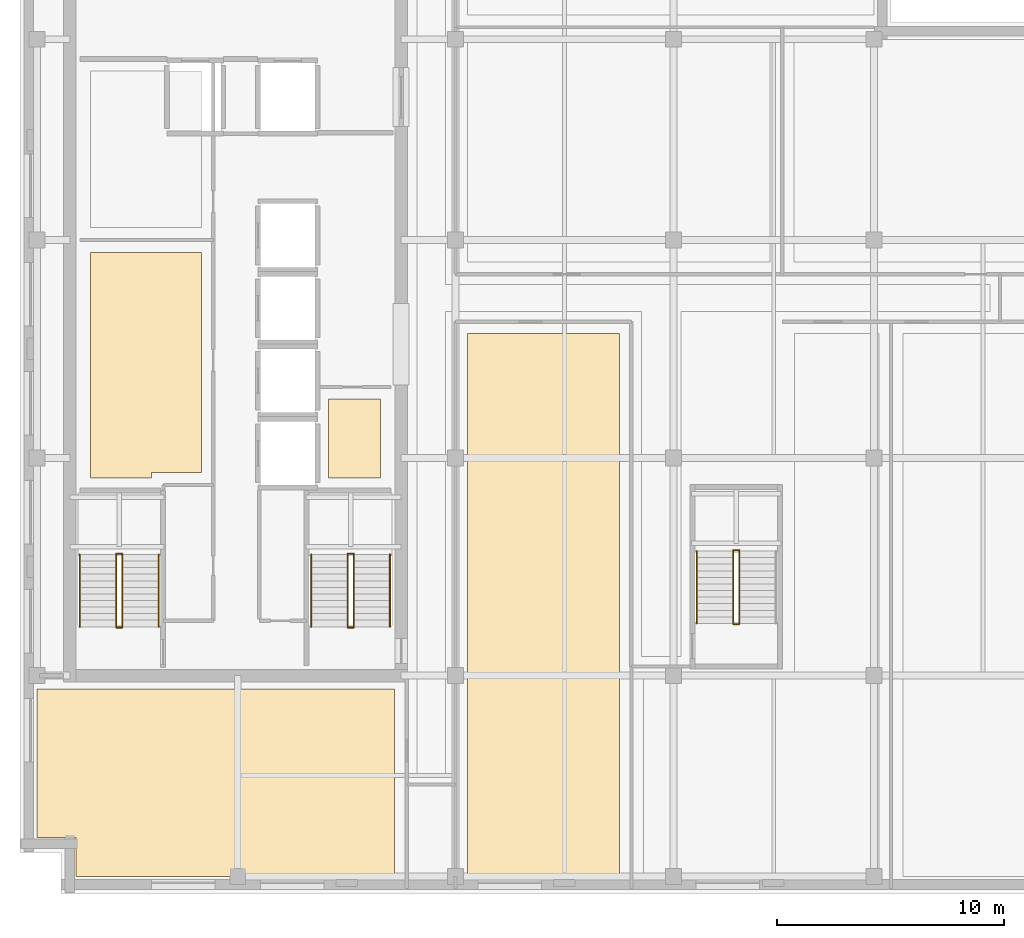
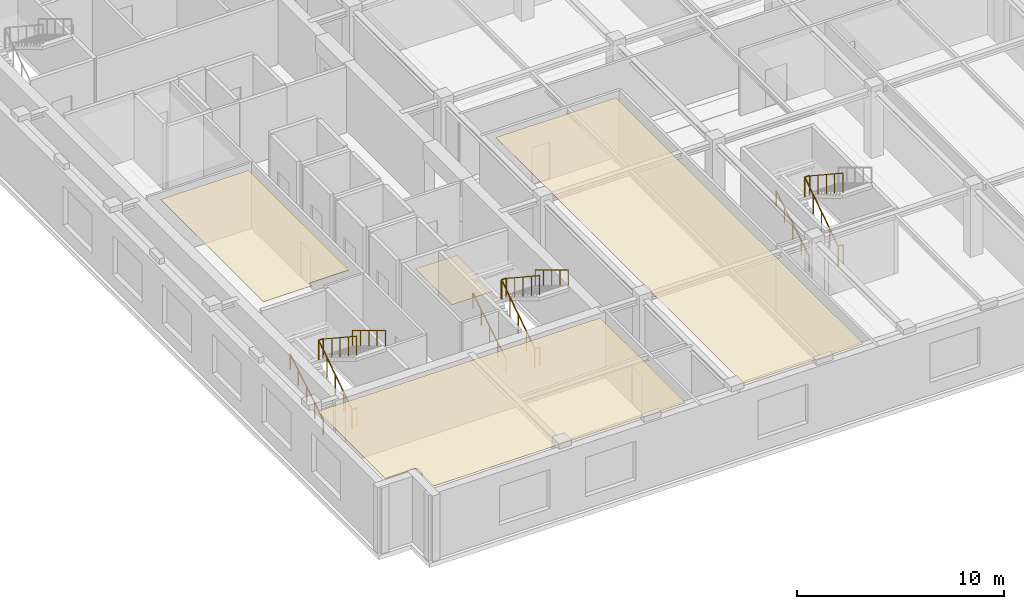
# One storey, part 6 of 10: 17 railings, 4 coverings.
"""IFC4 building model written with IfcOpenShell, lengths in metres."""

from ifc_helpers import new_model, si_unit, direction, frame, origin, origin_2d, place, context, subcontext, project, spatial, polyline, circle, outline, extrude, material, layer, layer_set, type_object, element, save


model = new_model("IFC4")

# Units and contexts
model_context = context("Model", 3, precision=1e-05, world=origin(), true_north=direction((0.0, 1.0)))
body_context = subcontext(model_context, "Body", "Model", "MODEL_VIEW")
ifc_project = project(units=[si_unit("LENGTHUNIT", "METRE"), si_unit("AREAUNIT", "SQUARE_METRE"), si_unit("VOLUMEUNIT", "CUBIC_METRE"), si_unit("PLANEANGLEUNIT", "RADIAN"), si_unit("MASSUNIT", "GRAM", prefix="KILO")], contexts=[model_context])

# Site, building, storey
site_placement = place(None, origin())
site = spatial("IfcSite", under=ifc_project, at=site_placement, CompositionType="ELEMENT")
building_placement = place(site_placement, origin())
building = spatial("IfcBuilding", under=site, at=building_placement, Name="Norrvale University Quadrangle", CompositionType="ELEMENT")
storey_placement = place(building_placement, frame((0.0, 0.0, 303.800048828125)))
storey = spatial("IfcBuildingStorey", under=building, at=storey_placement, Name="L77", CompositionType="ELEMENT", Elevation=303.800048828125)

# Coverings
ifc_material_1 = material(Name="Perforated Acoustic Mineral Ceiling")
ifc_layer_1 = layer(ifc_material_1, 0.02490234375, Name="Perforated Acoustic Mineral Ceiling")
ifc_layer_set_1 = layer_set([ifc_layer_1], Name="Perforated Acoustic Mineral Ceiling")
covering_type_1 = type_object("IfcCoveringType", Name="Covering Acoustic Ceiling 25", PredefinedType="CEILING", material=ifc_layer_set_1)
covering_1_placement = place(storey_placement, frame((0.0, 0.0, 3.85498046875)))
element("IfcCovering", 1, at=covering_1_placement, inside=storey, type_object=covering_type_1, Name="Acoustic Ceiling RM-L77-REC2", PredefinedType="CEILING", context=body_context, shape_type="SweptSolid", body=[
    extrude(outline(polyline([(3.10009765625, 18.300048828125), (3.10009765625, 28.25), (8.0, 28.25), (8.0, 18.550048828125), (5.800048828125, 18.550048828125), (5.800048828125, 18.300048828125), (3.10009765625, 18.300048828125)])), origin(), (0.0, 0.0, 1.0), 0.02490234375),
])
covering_2_placement = place(storey_placement, frame((0.0, 0.0, 3.85498046875)))
element("IfcCovering", 2, at=covering_2_placement, inside=storey, type_object=covering_type_1, Name="Acoustic Ceiling RM-L77-SW1", PredefinedType="CEILING", context=body_context, shape_type="SweptSolid", body=[
    extrude(outline(polyline([(0.75, 9.0), (16.5, 9.0), (16.5, 0.75), (2.469970703125, 0.75), (2.469970703125, 2.469970703125), (0.75, 2.469970703125), (0.75, 9.0)])), origin(), (0.0, 0.0, 1.0), 0.02490234375),
])
covering_3_placement = place(storey_placement, frame((0.0, 0.0, 3.85498046875)))
element("IfcCovering", 3, at=covering_3_placement, inside=storey, type_object=covering_type_1, Name="Acoustic Ceiling RM-L77-SE1", PredefinedType="CEILING", context=body_context, shape_type="SweptSolid", body=[
    extrude(outline(polyline([(19.72998046875, 24.669921875), (26.419921875, 24.669921875), (26.419921875, 0.75), (19.72998046875, 0.75), (19.72998046875, 24.669921875)])), origin(), (0.0, 0.0, 1.0), 0.02490234375),
])
ifc_material_2 = material(Name="Polished Terrazzo Flooring")
ifc_layer_2 = layer(ifc_material_2, 0.02490234375, Name="Polished Terrazzo Flooring")
ifc_layer_set_2 = layer_set([ifc_layer_2], Name="Polished Terrazzo Flooring")
covering_type_2 = type_object("IfcCoveringType", Name="Covering Terrazzo Floor 30", PredefinedType="FLOORING", material=ifc_layer_set_2)
covering_4_placement = place(storey_placement, origin())
element("IfcCovering", 4, at=covering_4_placement, inside=storey, type_object=covering_type_2, Name="Terrazzo Flooring RM-L77-JAN", PredefinedType="FLOORING", context=body_context, shape_type="SweptSolid", body=[
    extrude(outline(polyline([(13.60009765625, 18.300048828125), (13.60009765625, 21.800048828125), (15.89990234375, 21.800048828125), (15.89990234375, 18.300048828125), (13.60009765625, 18.300048828125)])), origin(), (0.0, 0.0, 1.0), 0.02490234375),
])

# Railings
ifc_material_3 = material(Name="Steel 350W Painted Balustrade", Category="steel")
railing_type_1 = type_object("IfcRailingType", Name="Railing Stair Guard 1100", PredefinedType="GUARDRAIL", material=ifc_material_3)
for number, where, name in (
    (5, (4.239990234375, 11.719970703125, 0.0), "Stair Floor Well Guard ST-01 L77"),
    (6, (4.239990234375, 14.969970703125, 2.099853515625), "Stair Mid-Landing Slot Guard ST-01 L77"),
):
    element("IfcRailing", number, at=place(storey_placement, frame(where)), inside=storey, type_object=railing_type_1, Name=name, PredefinedType="GUARDRAIL", context=body_context, shape_type="SweptSolid", body=[
        extrude(circle(Radius=0.02392578125, at=origin_2d()), frame((0.0, 0.0, 1.1259765625), z_axis=(1.0, 0.0, 0.0), x_axis=(0.0, 1.0, 0.0)), (0.0, 0.0, 1.0), 0.27001953125),
        extrude(circle(Radius=0.02099609375, at=origin_2d()), origin(), (0.0, 0.0, 1.0), 1.101806640625),
        extrude(circle(Radius=0.02099609375, at=origin_2d()), frame((0.27001953125, 0.0, 0.0)), (0.0, 0.0, 1.0), 1.101806640625),
    ])
railing_1_placement = place(storey_placement, frame((4.239990234375, 11.75, 0.0)))
element("IfcRailing", 7, at=railing_1_placement, inside=storey, type_object=railing_type_1, Name="Stair Lower Flight Inner Guard ST-01 L77", PredefinedType="GUARDRAIL", context=body_context, shape_type="SweptSolid", body=[
    extrude(circle(Radius=0.02392578125, at=origin_2d()), frame((0.0, 0.0, 1.1259765625), z_axis=(0.0, 0.835271834381, 0.549837214719), x_axis=(-1.0, 0.0, 0.0)), (0.0, 0.0, 1.0), 3.819091796875),
    extrude(circle(Radius=0.02099609375, at=origin_2d()), origin(), (0.0, 0.0, 1.0), 1.101806640625),
    extrude(circle(Radius=0.02099609375, at=origin_2d()), frame((0.0, 0.79736328125, 0.52490234375)), (0.0, 0.0, 1.0), 1.101806640625),
    extrude(circle(Radius=0.02099609375, at=origin_2d()), frame((0.0, 1.594970703125, 1.0498046875)), (0.0, 0.0, 1.0), 1.101806640625),
    extrude(circle(Radius=0.02099609375, at=origin_2d()), frame((0.0, 2.392578125, 1.574951171875)), (0.0, 0.0, 1.0), 1.101806640625),
    extrude(circle(Radius=0.02099609375, at=origin_2d()), frame((0.0, 3.18994140625, 2.099853515625)), (0.0, 0.0, 1.0), 1.101806640625),
])
railing_2_placement = place(storey_placement, frame((4.510009765625, 14.93994140625, 2.099853515625)))
element("IfcRailing", 8, at=railing_2_placement, inside=storey, type_object=railing_type_1, Name="Stair Upper Flight Inner Guard ST-01 L77", PredefinedType="GUARDRAIL", context=body_context, shape_type="SweptSolid", body=[
    extrude(circle(Radius=0.02392578125, at=origin_2d()), frame((0.0, 0.0, 1.1259765625), z_axis=(0.0, -0.835242474824, 0.549881812983), x_axis=(1.0, 0.0, 0.0)), (0.0, 0.0, 1.0), 3.819091796875),
    extrude(circle(Radius=0.02099609375, at=origin_2d()), origin(), (0.0, 0.0, 1.0), 1.101806640625),
    extrude(circle(Radius=0.02099609375, at=origin_2d()), frame((0.0, -0.79736328125, 0.52490234375)), (0.0, 0.0, 1.0), 1.101806640625),
    extrude(circle(Radius=0.02099609375, at=origin_2d()), frame((0.0, -1.594970703125, 1.050048828125)), (0.0, 0.0, 1.0), 1.101806640625),
    extrude(circle(Radius=0.02099609375, at=origin_2d()), frame((0.0, -2.392578125, 1.5751953125)), (0.0, 0.0, 1.0), 1.101806640625),
    extrude(circle(Radius=0.02099609375, at=origin_2d()), frame((0.0, -3.18994140625, 2.10009765625)), (0.0, 0.0, 1.0), 1.101806640625),
])
for number, where, name in (
    (9, (14.43994140625, 11.719970703125, 0.0), "Stair Floor Well Guard ST-03 L77"),
    (10, (14.43994140625, 14.969970703125, 2.099853515625), "Stair Mid-Landing Slot Guard ST-03 L77"),
):
    element("IfcRailing", number, at=place(storey_placement, frame(where)), inside=storey, type_object=railing_type_1, Name=name, PredefinedType="GUARDRAIL", context=body_context, shape_type="SweptSolid", body=[
        extrude(circle(Radius=0.02392578125, at=origin_2d()), frame((0.0, 0.0, 1.1259765625), z_axis=(1.0, 0.0, 0.0), x_axis=(0.0, 1.0, 0.0)), (0.0, 0.0, 1.0), 0.27001953125),
        extrude(circle(Radius=0.02099609375, at=origin_2d()), origin(), (0.0, 0.0, 1.0), 1.101806640625),
        extrude(circle(Radius=0.02099609375, at=origin_2d()), frame((0.27001953125, 0.0, 0.0)), (0.0, 0.0, 1.0), 1.101806640625),
    ])
railing_3_placement = place(storey_placement, frame((14.43994140625, 11.75, 0.0)))
element("IfcRailing", 11, at=railing_3_placement, inside=storey, type_object=railing_type_1, Name="Stair Lower Flight Inner Guard ST-03 L77", PredefinedType="GUARDRAIL", context=body_context, shape_type="SweptSolid", body=[
    extrude(circle(Radius=0.02392578125, at=origin_2d()), frame((0.0, 0.0, 1.1259765625), z_axis=(0.0, 0.835271834381, 0.549837214719), x_axis=(-1.0, 0.0, 0.0)), (0.0, 0.0, 1.0), 3.819091796875),
    extrude(circle(Radius=0.02099609375, at=origin_2d()), origin(), (0.0, 0.0, 1.0), 1.101806640625),
    extrude(circle(Radius=0.02099609375, at=origin_2d()), frame((0.0, 0.79736328125, 0.52490234375)), (0.0, 0.0, 1.0), 1.101806640625),
    extrude(circle(Radius=0.02099609375, at=origin_2d()), frame((0.0, 1.594970703125, 1.0498046875)), (0.0, 0.0, 1.0), 1.101806640625),
    extrude(circle(Radius=0.02099609375, at=origin_2d()), frame((0.0, 2.392578125, 1.574951171875)), (0.0, 0.0, 1.0), 1.101806640625),
    extrude(circle(Radius=0.02099609375, at=origin_2d()), frame((0.0, 3.18994140625, 2.099853515625)), (0.0, 0.0, 1.0), 1.101806640625),
])
railing_4_placement = place(storey_placement, frame((14.7099609375, 14.93994140625, 2.099853515625)))
element("IfcRailing", 12, at=railing_4_placement, inside=storey, type_object=railing_type_1, Name="Stair Upper Flight Inner Guard ST-03 L77", PredefinedType="GUARDRAIL", context=body_context, shape_type="SweptSolid", body=[
    extrude(circle(Radius=0.02392578125, at=origin_2d()), frame((0.0, 0.0, 1.1259765625), z_axis=(0.0, -0.835242474824, 0.549881812983), x_axis=(1.0, 0.0, 0.0)), (0.0, 0.0, 1.0), 3.819091796875),
    extrude(circle(Radius=0.02099609375, at=origin_2d()), origin(), (0.0, 0.0, 1.0), 1.101806640625),
    extrude(circle(Radius=0.02099609375, at=origin_2d()), frame((0.0, -0.79736328125, 0.52490234375)), (0.0, 0.0, 1.0), 1.101806640625),
    extrude(circle(Radius=0.02099609375, at=origin_2d()), frame((0.0, -1.594970703125, 1.050048828125)), (0.0, 0.0, 1.0), 1.101806640625),
    extrude(circle(Radius=0.02099609375, at=origin_2d()), frame((0.0, -2.392578125, 1.5751953125)), (0.0, 0.0, 1.0), 1.101806640625),
    extrude(circle(Radius=0.02099609375, at=origin_2d()), frame((0.0, -3.18994140625, 2.10009765625)), (0.0, 0.0, 1.0), 1.101806640625),
])
for number, where, name in (
    (13, (31.43994140625, 11.8701171875, 0.0), "Stair Floor Well Guard ST-04 L77"),
    (14, (31.43994140625, 15.1201171875, 2.099853515625), "Stair Mid-Landing Slot Guard ST-04 L77"),
):
    element("IfcRailing", number, at=place(storey_placement, frame(where)), inside=storey, type_object=railing_type_1, Name=name, PredefinedType="GUARDRAIL", context=body_context, shape_type="SweptSolid", body=[
        extrude(circle(Radius=0.02392578125, at=origin_2d()), frame((0.0, 0.0, 1.1259765625), z_axis=(1.0, 0.0, 0.0), x_axis=(0.0, 1.0, 0.0)), (0.0, 0.0, 1.0), 0.27001953125),
        extrude(circle(Radius=0.02099609375, at=origin_2d()), origin(), (0.0, 0.0, 1.0), 1.101806640625),
        extrude(circle(Radius=0.02099609375, at=origin_2d()), frame((0.27001953125, 0.0, 0.0)), (0.0, 0.0, 1.0), 1.101806640625),
    ])
railing_5_placement = place(storey_placement, frame((31.43994140625, 11.89990234375, 0.0)))
element("IfcRailing", 15, at=railing_5_placement, inside=storey, type_object=railing_type_1, Name="Stair Lower Flight Inner Guard ST-04 L77", PredefinedType="GUARDRAIL", context=body_context, shape_type="SweptSolid", body=[
    extrude(circle(Radius=0.02392578125, at=origin_2d()), frame((0.0, 0.0, 1.1259765625), z_axis=(0.0, 0.835291159344, 0.549807856548), x_axis=(-1.0, 0.0, 0.0)), (0.0, 0.0, 1.0), 3.8193359375),
    extrude(circle(Radius=0.02099609375, at=origin_2d()), origin(), (0.0, 0.0, 1.0), 1.101806640625),
    extrude(circle(Radius=0.02099609375, at=origin_2d()), frame((0.0, 0.797607421875, 0.52490234375)), (0.0, 0.0, 1.0), 1.101806640625),
    extrude(circle(Radius=0.02099609375, at=origin_2d()), frame((0.0, 1.59521484375, 1.0498046875)), (0.0, 0.0, 1.0), 1.101806640625),
    extrude(circle(Radius=0.02099609375, at=origin_2d()), frame((0.0, 2.392578125, 1.574951171875)), (0.0, 0.0, 1.0), 1.101806640625),
    extrude(circle(Radius=0.02099609375, at=origin_2d()), frame((0.0, 3.190185546875, 2.099853515625)), (0.0, 0.0, 1.0), 1.101806640625),
])
railing_6_placement = place(storey_placement, frame((31.7099609375, 15.090087890625, 2.099853515625)))
element("IfcRailing", 16, at=railing_6_placement, inside=storey, type_object=railing_type_1, Name="Stair Upper Flight Inner Guard ST-04 L77", PredefinedType="GUARDRAIL", context=body_context, shape_type="SweptSolid", body=[
    extrude(circle(Radius=0.02392578125, at=origin_2d()), frame((0.0, 0.0, 1.1259765625), z_axis=(0.0, -0.835261802243, 0.549852454495), x_axis=(1.0, 0.0, 0.0)), (0.0, 0.0, 1.0), 3.8193359375),
    extrude(circle(Radius=0.02099609375, at=origin_2d()), origin(), (0.0, 0.0, 1.0), 1.101806640625),
    extrude(circle(Radius=0.02099609375, at=origin_2d()), frame((0.0, -0.797607421875, 0.52490234375)), (0.0, 0.0, 1.0), 1.101806640625),
    extrude(circle(Radius=0.02099609375, at=origin_2d()), frame((0.0, -1.59521484375, 1.050048828125)), (0.0, 0.0, 1.0), 1.101806640625),
    extrude(circle(Radius=0.02099609375, at=origin_2d()), frame((0.0, -2.392578125, 1.5751953125)), (0.0, 0.0, 1.0), 1.101806640625),
    extrude(circle(Radius=0.02099609375, at=origin_2d()), frame((0.0, -3.190185546875, 2.10009765625)), (0.0, 0.0, 1.0), 1.101806640625),
])
ifc_material_4 = material(Name="Stainless Steel 316L Handrail", Category="steel")
railing_type_2 = type_object("IfcRailingType", Name="Railing Stair Handrail 920", PredefinedType="HANDRAIL", material=ifc_material_4)
railing_7_placement = place(storey_placement, frame((2.639892578125, 11.75, 0.175048828125)))
element("IfcRailing", 17, at=railing_7_placement, inside=storey, type_object=railing_type_2, Name="Stair Lower Flight Handrail ST-01 L77", PredefinedType="HANDRAIL", context=body_context, shape_type="SweptSolid", body=[
    extrude(circle(Radius=0.02392578125, at=origin_2d()), frame((0.0, 0.0, 0.89599609375), z_axis=(0.0, 0.856206652436, 0.516633495163), x_axis=(-1.0, 0.0, 0.0)), (0.0, 0.0, 1.0), 3.7255859375),
    extrude(circle(Radius=0.02099609375, at=origin_2d()), origin(), (0.0, 0.0, 1.0), 0.871826171875),
    extrude(circle(Radius=0.02099609375, at=origin_2d()), frame((0.0, 0.79736328125, 0.481201171875)), (0.0, 0.0, 1.0), 0.871826171875),
    extrude(circle(Radius=0.02099609375, at=origin_2d()), frame((0.0, 1.594970703125, 0.96240234375)), (0.0, 0.0, 1.0), 0.871826171875),
    extrude(circle(Radius=0.02099609375, at=origin_2d()), frame((0.0, 2.392578125, 1.443603515625)), (0.0, 0.0, 1.0), 0.871826171875),
    extrude(circle(Radius=0.02099609375, at=origin_2d()), frame((0.0, 3.18994140625, 1.9248046875)), (0.0, 0.0, 1.0), 0.871826171875),
])
railing_8_placement = place(storey_placement, frame((6.110107421875, 14.93994140625, 2.27490234375)))
element("IfcRailing", 18, at=railing_8_placement, inside=storey, type_object=railing_type_2, Name="Stair Upper Flight Handrail ST-01 L77", PredefinedType="HANDRAIL", context=body_context, shape_type="SweptSolid", body=[
    extrude(circle(Radius=0.02392578125, at=origin_2d()), frame((0.0, 0.0, 0.89599609375), z_axis=(0.0, -0.856177665481, 0.516681531633), x_axis=(1.0, 0.0, 0.0)), (0.0, 0.0, 1.0), 3.725830078125),
    extrude(circle(Radius=0.02099609375, at=origin_2d()), origin(), (0.0, 0.0, 1.0), 0.871826171875),
    extrude(circle(Radius=0.02099609375, at=origin_2d()), frame((0.0, -0.79736328125, 0.481201171875)), (0.0, 0.0, 1.0), 0.871826171875),
    extrude(circle(Radius=0.02099609375, at=origin_2d()), frame((0.0, -1.594970703125, 0.96240234375)), (0.0, 0.0, 1.0), 0.871826171875),
    extrude(circle(Radius=0.02099609375, at=origin_2d()), frame((0.0, -2.392578125, 1.44384765625)), (0.0, 0.0, 1.0), 0.871826171875),
    extrude(circle(Radius=0.02099609375, at=origin_2d()), frame((0.0, -3.18994140625, 1.925048828125)), (0.0, 0.0, 1.0), 0.871826171875),
])
railing_9_placement = place(storey_placement, frame((12.840087890625, 11.75, 0.175048828125)))
element("IfcRailing", 19, at=railing_9_placement, inside=storey, type_object=railing_type_2, Name="Stair Lower Flight Handrail ST-03 L77", PredefinedType="HANDRAIL", context=body_context, shape_type="SweptSolid", body=[
    extrude(circle(Radius=0.02392578125, at=origin_2d()), frame((0.0, 0.0, 0.89599609375), z_axis=(0.0, 0.856206652436, 0.516633495163), x_axis=(-1.0, 0.0, 0.0)), (0.0, 0.0, 1.0), 3.7255859375),
    extrude(circle(Radius=0.02099609375, at=origin_2d()), origin(), (0.0, 0.0, 1.0), 0.871826171875),
    extrude(circle(Radius=0.02099609375, at=origin_2d()), frame((0.0, 0.79736328125, 0.481201171875)), (0.0, 0.0, 1.0), 0.871826171875),
    extrude(circle(Radius=0.02099609375, at=origin_2d()), frame((0.0, 1.594970703125, 0.96240234375)), (0.0, 0.0, 1.0), 0.871826171875),
    extrude(circle(Radius=0.02099609375, at=origin_2d()), frame((0.0, 2.392578125, 1.443603515625)), (0.0, 0.0, 1.0), 0.871826171875),
    extrude(circle(Radius=0.02099609375, at=origin_2d()), frame((0.0, 3.18994140625, 1.9248046875)), (0.0, 0.0, 1.0), 0.871826171875),
])
railing_10_placement = place(storey_placement, frame((16.31005859375, 14.93994140625, 2.27490234375)))
element("IfcRailing", 20, at=railing_10_placement, inside=storey, type_object=railing_type_2, Name="Stair Upper Flight Handrail ST-03 L77", PredefinedType="HANDRAIL", context=body_context, shape_type="SweptSolid", body=[
    extrude(circle(Radius=0.02392578125, at=origin_2d()), frame((0.0, 0.0, 0.89599609375), z_axis=(0.0, -0.856177665481, 0.516681531633), x_axis=(1.0, 0.0, 0.0)), (0.0, 0.0, 1.0), 3.725830078125),
    extrude(circle(Radius=0.02099609375, at=origin_2d()), origin(), (0.0, 0.0, 1.0), 0.871826171875),
    extrude(circle(Radius=0.02099609375, at=origin_2d()), frame((0.0, -0.79736328125, 0.481201171875)), (0.0, 0.0, 1.0), 0.871826171875),
    extrude(circle(Radius=0.02099609375, at=origin_2d()), frame((0.0, -1.594970703125, 0.96240234375)), (0.0, 0.0, 1.0), 0.871826171875),
    extrude(circle(Radius=0.02099609375, at=origin_2d()), frame((0.0, -2.392578125, 1.44384765625)), (0.0, 0.0, 1.0), 0.871826171875),
    extrude(circle(Radius=0.02099609375, at=origin_2d()), frame((0.0, -3.18994140625, 1.925048828125)), (0.0, 0.0, 1.0), 0.871826171875),
])
railing_11_placement = place(storey_placement, frame((29.840087890625, 11.89990234375, 0.175048828125)))
element("IfcRailing", 21, at=railing_11_placement, inside=storey, type_object=railing_type_2, Name="Stair Lower Flight Handrail ST-04 L77", PredefinedType="HANDRAIL", context=body_context, shape_type="SweptSolid", body=[
    extrude(circle(Radius=0.02392578125, at=origin_2d()), frame((0.0, 0.0, 0.89599609375), z_axis=(0.0, 0.856224141417, 0.516604509905), x_axis=(-1.0, 0.0, 0.0)), (0.0, 0.0, 1.0), 3.725830078125),
    extrude(circle(Radius=0.02099609375, at=origin_2d()), origin(), (0.0, 0.0, 1.0), 0.871826171875),
    extrude(circle(Radius=0.02099609375, at=origin_2d()), frame((0.0, 0.797607421875, 0.481201171875)), (0.0, 0.0, 1.0), 0.871826171875),
    extrude(circle(Radius=0.02099609375, at=origin_2d()), frame((0.0, 1.59521484375, 0.96240234375)), (0.0, 0.0, 1.0), 0.871826171875),
    extrude(circle(Radius=0.02099609375, at=origin_2d()), frame((0.0, 2.392578125, 1.443603515625)), (0.0, 0.0, 1.0), 0.871826171875),
    extrude(circle(Radius=0.02099609375, at=origin_2d()), frame((0.0, 3.190185546875, 1.9248046875)), (0.0, 0.0, 1.0), 0.871826171875),
])

save(model, "model.ifc")
